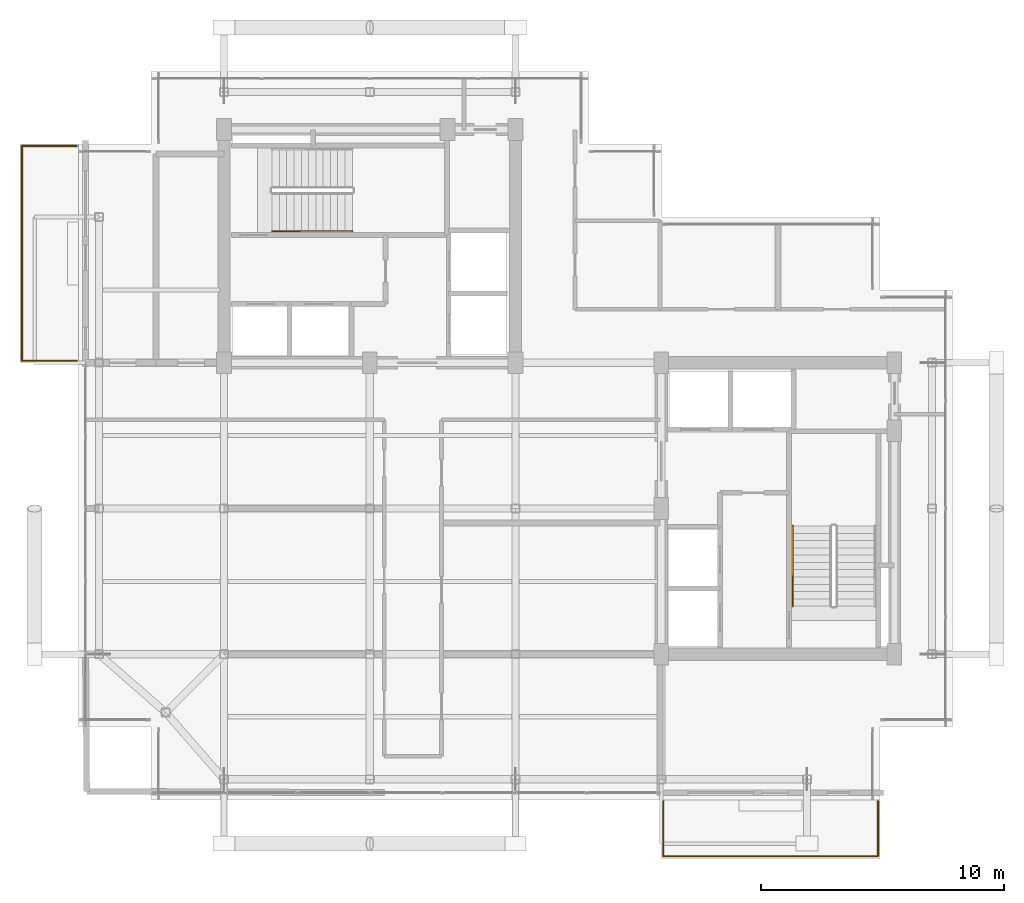
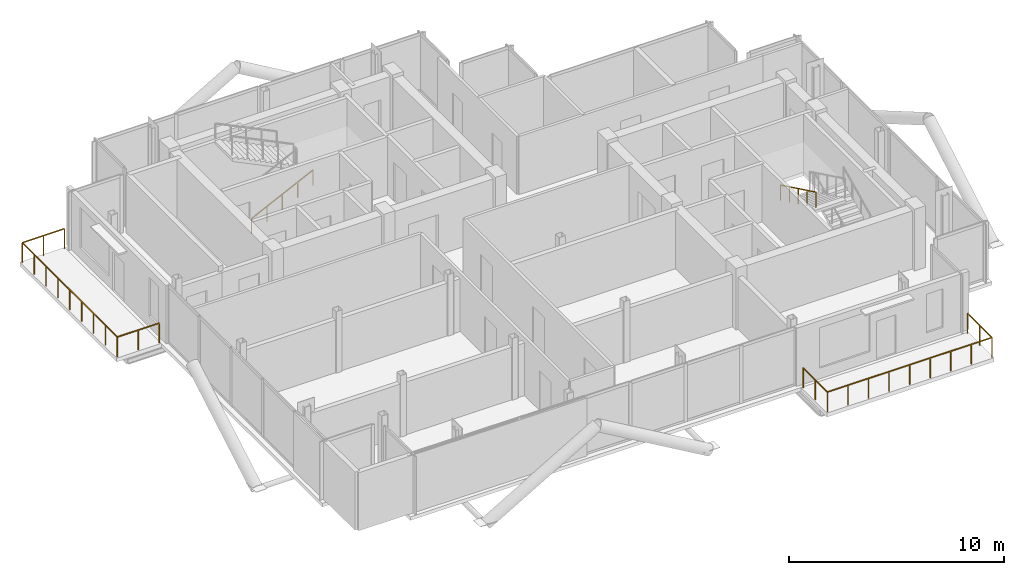
# One storey, part 18 of 19: 4 railings.
"""IFC4 building model written with IfcOpenShell, lengths in metres."""

import ifcopenshell
import ifcopenshell.guid

model = None  # the IFC model being written
_history = None  # IfcOwnerHistory: only IFC2X3 demands one
_inside = {}  # id of a spatial element -> (the spatial element, [elements in it])
_under = {}  # id of a project, library or spatial element -> (it, [spatial elements below it])
_declared = {}  # id of a project -> (the project, [libraries it declares])
_typed = {}  # id of a type object -> (the type object, [elements of that type])
_made_of = {}  # id of a material, layer set ... -> (it, [elements and type objects made of it])


def new_model(schema):
    """Start an empty IFC model of exactly this schema.

    Asked for "IFC4X3", IfcOpenShell would pick the latest addendum, in which some entities
    have other attributes; the version numbers below select the first issue.
    IFC2X3 requires an IfcOwnerHistory on every rooted entity: one is made here for all.
    """
    global model, _history
    if schema == "IFC4X3":
        model = ifcopenshell.file(schema_version=(4, 3, 0, 0))
    else:
        model = ifcopenshell.file(schema=schema)
    _inside.clear()
    _under.clear()
    _declared.clear()
    _typed.clear()
    _made_of.clear()
    _history = None
    if model.schema == "IFC2X3":
        org = make("IfcOrganization", Name="unknown")
        user = make(
            "IfcPersonAndOrganization",
            ThePerson=make("IfcPerson", FamilyName="unknown"),
            TheOrganization=org,
        )
        app = make(
            "IfcApplication",
            ApplicationDeveloper=org,
            Version="unknown",
            ApplicationFullName="unknown",
            ApplicationIdentifier="unknown",
        )
        _history = make(
            "IfcOwnerHistory",
            OwningUser=user,
            OwningApplication=app,
            ChangeAction="ADDED",
            CreationDate=0,
        )
    return model


def make(cls, **values):
    """One entity of the class cls with the attributes given. An attribute that is None is left unset."""
    return model.create_entity(
        cls, **{name: value for name, value in values.items() if value is not None}
    )


def rooted(cls, **values):
    """An entity with a GlobalId (a new one), such as an element, a storey or a relation."""
    return make(cls, GlobalId=ifcopenshell.guid.new(), OwnerHistory=_history, **values)


def si_unit(unit_type, name, prefix=None):
    """IfcSIUnit, for example si_unit("LENGTHUNIT", "METRE", prefix="MILLI")."""
    return make("IfcSIUnit", UnitType=unit_type, Prefix=prefix, Name=name)


def assignment(units):
    """IfcUnitAssignment: the units of a project."""
    return None if units is None else make("IfcUnitAssignment", Units=units)


def point(xyz):
    """IfcCartesianPoint."""
    return None if xyz is None else make("IfcCartesianPoint", Coordinates=xyz)


def direction(xyz):
    """IfcDirection."""
    return None if xyz is None else make("IfcDirection", DirectionRatios=xyz)


def frame(location, z_axis=None, x_axis=None):
    """IfcAxis2Placement3D, a coordinate frame: its origin and axes. An axis left out is left unset."""
    return make(
        "IfcAxis2Placement3D",
        Location=point(location),
        Axis=direction(z_axis),
        RefDirection=direction(x_axis),
    )


def frame_2d(location, x_axis=None):
    """IfcAxis2Placement2D, a coordinate frame in the plane: its origin and x axis."""
    return make(
        "IfcAxis2Placement2D", Location=point(location), RefDirection=direction(x_axis)
    )


def origin():
    """The frame at (0, 0, 0) with its axes left unset."""
    return frame((0.0, 0.0, 0.0))


def origin_2d():
    """The frame at (0, 0) in the plane with its x axis left unset."""
    return frame_2d((0.0, 0.0))


def place(relative_to, where):
    """IfcLocalPlacement: puts the frame where relative to a parent placement (None: the world)."""
    return make(
        "IfcLocalPlacement", PlacementRelTo=relative_to, RelativePlacement=where
    )


def context(
    kind, dimensions, precision=None, world=None, true_north=None, identifier=None
):
    """IfcGeometricRepresentationContext, for example the 3D "Model" context."""
    return make(
        "IfcGeometricRepresentationContext",
        ContextIdentifier=identifier,
        ContextType=kind,
        CoordinateSpaceDimension=dimensions,
        Precision=precision,
        WorldCoordinateSystem=world,
        TrueNorth=true_north,
    )


def subcontext(parent, identifier, kind, view, scale=None):
    """IfcGeometricRepresentationSubContext, for example "Body" below "Model"."""
    return make(
        "IfcGeometricRepresentationSubContext",
        ContextIdentifier=identifier,
        ContextType=kind,
        ParentContext=parent,
        TargetScale=scale,
        TargetView=view,
    )


def project(units=None, contexts=None):
    """IfcProject with its units and contexts."""
    return rooted(
        "IfcProject",
        Name="project",
        RepresentationContexts=contexts,
        UnitsInContext=assignment(units),
    )


def spatial(cls, under=None, at=None, **own):
    """A site, building, storey or space (cls), placed at a placement, below another one or the project."""
    s = rooted(cls, ObjectPlacement=at, **own)
    if under is not None:
        _under.setdefault(under.id(), (under, []))[1].append(s)
    return s


def profile(cls, at=None, kind="AREA", **sizes):
    """A parametric profile (cls). Its sizes go by their IFC names, for example OverallWidth=200.0."""
    return make(cls, ProfileType=kind, Position=at, **sizes)


def rectangle(**sizes):
    """IfcRectangleProfileDef."""
    return profile("IfcRectangleProfileDef", **sizes)


def extrude(swept, where, along, depth):
    """IfcExtrudedAreaSolid: the profile swept, set in the frame where, extruded along a direction by depth."""
    return make(
        "IfcExtrudedAreaSolid",
        SweptArea=swept,
        Position=where,
        ExtrudedDirection=direction(along),
        Depth=depth,
    )


def shape(context_of_items, identifier, shape_type, items):
    """IfcShapeRepresentation: the items that make up one representation, for example the "Body"."""
    return make(
        "IfcShapeRepresentation",
        ContextOfItems=context_of_items,
        RepresentationIdentifier=identifier,
        RepresentationType=shape_type,
        Items=items,
    )


def material(Name=None, Category=None):
    """IfcMaterial."""
    return make("IfcMaterial", Name=Name, Category=Category)


def made_of(thing, what):
    """Note that an element or type object is made of a material, layer set ...; save() writes the relation."""
    if what is not None:
        _made_of.setdefault(what.id(), (what, []))[1].append(thing)
    return thing


def type_object(cls, material=None, **own):
    """A type object (cls), such as IfcWallType, which elements share."""
    return made_of(rooted(cls, **own), material)


def element(
    cls,
    number,
    at=None,
    inside=None,
    cuts=None,
    type_object=None,
    material=None,
    context=None,
    identifier="Body",
    shape_type=None,
    held_by="IfcProductDefinitionShape",
    body=None,
    shapes=None,
    **own,
):
    """One element of the class cls, such as IfcWall. Its Tag is "e" and its number.

    at: its placement. inside: the storey or other place that contains it. cuts: it is an
    opening in that element (IfcRelVoidsElement). A single representation is given by context,
    identifier, shape_type and body (its items); several are given by shapes. held_by: the class
    of the entity that holds the representations. save() writes the other relations.
    """
    e = rooted(cls, Tag="e%d" % number, ObjectPlacement=at, **own)
    if body is not None:
        shapes = [shape(context, identifier, shape_type, body)]
    if shapes is not None:
        e.Representation = make(held_by, Representations=shapes)
    if inside is not None:
        _inside.setdefault(inside.id(), (inside, []))[1].append(e)
    if cuts is not None:
        rooted(
            "IfcRelVoidsElement", RelatingBuildingElement=cuts, RelatedOpeningElement=e
        )
    if type_object is not None:
        _typed.setdefault(type_object.id(), (type_object, []))[1].append(e)
    return made_of(e, material)


def aggregate(whole, parts):
    """IfcRelAggregates: a whole, such as a stair, and the parts it consists of."""
    return rooted("IfcRelAggregates", RelatingObject=whole, RelatedObjects=parts)


def save(model, path):
    """Write the relations noted so far, then the file.

    IfcRelAggregates (storeys below a building ...), IfcRelContainedInSpatialStructure (elements
    in a storey), IfcRelDefinesByType, IfcRelAssociatesMaterial and IfcRelDeclares: one each for
    every whole, place, type object, material and project.
    """
    for whole, parts in _under.values():
        aggregate(whole, parts)
    for where, things in _inside.values():
        rooted(
            "IfcRelContainedInSpatialStructure",
            RelatedElements=things,
            RelatingStructure=where,
        )
    for kind, things in _typed.values():
        rooted("IfcRelDefinesByType", RelatedObjects=things, RelatingType=kind)
    for what, things in _made_of.values():
        rooted("IfcRelAssociatesMaterial", RelatedObjects=things, RelatingMaterial=what)
    for by, libraries in _declared.values():
        rooted("IfcRelDeclares", RelatingContext=by, RelatedDefinitions=libraries)
    model.write(path)


model = new_model("IFC4")

# Units and contexts
model_context = context("Model", 3, precision=1e-05, world=origin(), true_north=direction((0.0, 1.0)))
body_context = subcontext(model_context, "Body", "Model", "MODEL_VIEW")
ifc_project = project(units=[si_unit("LENGTHUNIT", "METRE"), si_unit("AREAUNIT", "SQUARE_METRE"), si_unit("VOLUMEUNIT", "CUBIC_METRE"), si_unit("PLANEANGLEUNIT", "RADIAN"), si_unit("MASSUNIT", "GRAM", prefix="KILO"), si_unit("THERMODYNAMICTEMPERATUREUNIT", "KELVIN"), si_unit("POWERUNIT", "WATT")], contexts=[model_context])

# Site, building, storey
site_placement = place(None, origin())
site = spatial("IfcSite", under=ifc_project, at=site_placement, CompositionType="ELEMENT")
building_placement = place(site_placement, origin())
building = spatial("IfcBuilding", under=site, at=building_placement, Name="Svarakhadi Broadcast Tower", CompositionType="ELEMENT")
storey_placement = place(building_placement, frame((0.0, 0.0, 285.199951171875)))
storey = spatial("IfcBuildingStorey", under=building, at=storey_placement, Name="L72", CompositionType="ELEMENT", Elevation=285.199951171875)

# Railings
ifc_material_1 = material(Name="Laminated Structural SentryGlas Balustrade 25.5 mm", Category="glass")
railing_type_1 = type_object("IfcRailingType", Name="Guard_Balcony_GR01", PredefinedType="BALUSTRADE", material=ifc_material_1)
railing_1_placement = place(storey_placement, frame((24.080078125, -0.06005859375, 0.0)))
element("IfcRailing", 1, at=railing_1_placement, inside=storey, type_object=railing_type_1, Name="L72 South Tree Balcony Guard GR-05", PredefinedType="BALUSTRADE", context=body_context, shape_type="SweptSolid", body=[
    extrude(rectangle(XDim=0.048095703125, YDim=0.048095703125, at=origin_2d()), frame((0.0, 0.0, 1.1259765625), z_axis=(0.0, -1.0, 0.0), x_axis=(1.0, 0.0, 0.0)), (0.0, 0.0, 1.0), 2.260009765625),
    extrude(rectangle(XDim=0.048095703125, YDim=0.048095703125, at=origin_2d()), frame((0.0, -2.260009765625, 1.1259765625), z_axis=(1.0, 0.0, 0.0), x_axis=(0.0, 1.0, 0.0)), (0.0, 0.0, 1.0), 8.83984375),
    extrude(rectangle(XDim=0.048095703125, YDim=0.048095703125, at=origin_2d()), frame((8.83984375, -2.260009765625, 1.1259765625), z_axis=(0.0, 1.0, 0.0), x_axis=(-1.0, 0.0, 0.0)), (0.0, 0.0, 1.0), 2.260009765625),
    extrude(rectangle(XDim=0.0419921875, YDim=0.0419921875, at=origin_2d()), origin(), (0.0, 0.0, 1.0), 1.101806640625),
    extrude(rectangle(XDim=0.0419921875, YDim=0.0419921875, at=origin_2d()), frame((0.0, -1.1298828125, 0.0)), (0.0, 0.0, 1.0), 1.101806640625),
    extrude(rectangle(XDim=0.0419921875, YDim=0.0419921875, at=origin_2d()), frame((0.0, -2.260009765625, 0.0)), (0.0, 0.0, 1.0), 1.101806640625),
    extrude(rectangle(XDim=0.0419921875, YDim=0.0419921875, at=origin_2d()), frame((1.10498046875, -2.260009765625, 0.0)), (0.0, 0.0, 1.0), 1.101806640625),
    extrude(rectangle(XDim=0.0419921875, YDim=0.0419921875, at=origin_2d()), frame((2.2099609375, -2.260009765625, 0.0)), (0.0, 0.0, 1.0), 1.101806640625),
    extrude(rectangle(XDim=0.0419921875, YDim=0.0419921875, at=origin_2d()), frame((3.31494140625, -2.260009765625, 0.0)), (0.0, 0.0, 1.0), 1.101806640625),
    extrude(rectangle(XDim=0.0419921875, YDim=0.0419921875, at=origin_2d()), frame((4.419921875, -2.260009765625, 0.0)), (0.0, 0.0, 1.0), 1.101806640625),
    extrude(rectangle(XDim=0.0419921875, YDim=0.0419921875, at=origin_2d()), frame((5.52490234375, -2.260009765625, 0.0)), (0.0, 0.0, 1.0), 1.101806640625),
    extrude(rectangle(XDim=0.0419921875, YDim=0.0419921875, at=origin_2d()), frame((6.6298828125, -2.260009765625, 0.0)), (0.0, 0.0, 1.0), 1.101806640625),
    extrude(rectangle(XDim=0.0419921875, YDim=0.0419921875, at=origin_2d()), frame((7.73486328125, -2.260009765625, 0.0)), (0.0, 0.0, 1.0), 1.101806640625),
    extrude(rectangle(XDim=0.0419921875, YDim=0.0419921875, at=origin_2d()), frame((8.83984375, -2.260009765625, 0.0)), (0.0, 0.0, 1.0), 1.101806640625),
    extrude(rectangle(XDim=0.0419921875, YDim=0.0419921875, at=origin_2d()), frame((8.83984375, -1.1298828125, 0.0)), (0.0, 0.0, 1.0), 1.101806640625),
    extrude(rectangle(XDim=0.0419921875, YDim=0.0419921875, at=origin_2d()), frame((8.83984375, 0.0, 0.0)), (0.0, 0.0, 1.0), 1.101806640625),
])
railing_2_placement = place(storey_placement, frame((-0.06005859375, 18.080078125, 0.0)))
element("IfcRailing", 2, at=railing_2_placement, inside=storey, type_object=railing_type_1, Name="L72 West Tree Balcony Guard GR-05", PredefinedType="BALUSTRADE", context=body_context, shape_type="SweptSolid", body=[
    extrude(rectangle(XDim=0.048095703125, YDim=0.048095703125, at=origin_2d()), frame((0.0, 0.0, 1.1259765625), z_axis=(-1.0, 0.0, 0.0), x_axis=(0.0, -1.0, 0.0)), (0.0, 0.0, 1.0), 2.260009765625),
    extrude(rectangle(XDim=0.048095703125, YDim=0.048095703125, at=origin_2d()), frame((-2.260009765625, 0.0, 1.1259765625), z_axis=(0.0, 1.0, 0.0), x_axis=(-1.0, 0.0, 0.0)), (0.0, 0.0, 1.0), 8.83984375),
    extrude(rectangle(XDim=0.048095703125, YDim=0.048095703125, at=origin_2d()), frame((-2.260009765625, 8.83984375, 1.1259765625), z_axis=(1.0, 0.0, 0.0), x_axis=(0.0, 1.0, 0.0)), (0.0, 0.0, 1.0), 2.260009765625),
    extrude(rectangle(XDim=0.0419921875, YDim=0.0419921875, at=origin_2d()), origin(), (0.0, 0.0, 1.0), 1.101806640625),
    extrude(rectangle(XDim=0.0419921875, YDim=0.0419921875, at=origin_2d()), frame((-1.1298828125, 0.0, 0.0)), (0.0, 0.0, 1.0), 1.101806640625),
    extrude(rectangle(XDim=0.0419921875, YDim=0.0419921875, at=origin_2d()), frame((-2.260009765625, 0.0, 0.0)), (0.0, 0.0, 1.0), 1.101806640625),
    extrude(rectangle(XDim=0.0419921875, YDim=0.0419921875, at=origin_2d()), frame((-2.260009765625, 1.10498046875, 0.0)), (0.0, 0.0, 1.0), 1.101806640625),
    extrude(rectangle(XDim=0.0419921875, YDim=0.0419921875, at=origin_2d()), frame((-2.260009765625, 2.2099609375, 0.0)), (0.0, 0.0, 1.0), 1.101806640625),
    extrude(rectangle(XDim=0.0419921875, YDim=0.0419921875, at=origin_2d()), frame((-2.260009765625, 3.31494140625, 0.0)), (0.0, 0.0, 1.0), 1.101806640625),
    extrude(rectangle(XDim=0.0419921875, YDim=0.0419921875, at=origin_2d()), frame((-2.260009765625, 4.419921875, 0.0)), (0.0, 0.0, 1.0), 1.101806640625),
    extrude(rectangle(XDim=0.0419921875, YDim=0.0419921875, at=origin_2d()), frame((-2.260009765625, 5.52490234375, 0.0)), (0.0, 0.0, 1.0), 1.101806640625),
    extrude(rectangle(XDim=0.0419921875, YDim=0.0419921875, at=origin_2d()), frame((-2.260009765625, 6.6298828125, 0.0)), (0.0, 0.0, 1.0), 1.101806640625),
    extrude(rectangle(XDim=0.0419921875, YDim=0.0419921875, at=origin_2d()), frame((-2.260009765625, 7.73486328125, 0.0)), (0.0, 0.0, 1.0), 1.101806640625),
    extrude(rectangle(XDim=0.0419921875, YDim=0.0419921875, at=origin_2d()), frame((-2.260009765625, 8.83984375, 0.0)), (0.0, 0.0, 1.0), 1.101806640625),
    extrude(rectangle(XDim=0.0419921875, YDim=0.0419921875, at=origin_2d()), frame((-1.1298828125, 8.83984375, 0.0)), (0.0, 0.0, 1.0), 1.101806640625),
    extrude(rectangle(XDim=0.0419921875, YDim=0.0419921875, at=origin_2d()), frame((0.0, 8.83984375, 0.0)), (0.0, 0.0, 1.0), 1.101806640625),
])
ifc_material_2 = material(Name="Anodised Bronze Aluminium AA 6063-T6", Category="aluminium")
railing_type_2 = type_object("IfcRailingType", Name="Handrail_Stair_HR01", PredefinedType="HANDRAIL", material=ifc_material_2)
railing_3_placement = place(storey_placement, frame((7.97998046875, 23.409912109375, 0.14599609375)))
element("IfcRailing", 3, at=railing_3_placement, inside=storey, type_object=railing_type_2, Name="L72 ST-01 stair handrail 1", PredefinedType="HANDRAIL", context=body_context, shape_type="SweptSolid", body=[
    extrude(rectangle(XDim=0.048095703125, YDim=0.048095703125, at=origin_2d()), frame((0.0, 0.0, 0.8759765625), z_axis=(0.899387838337, 0.0, 0.437151594131), x_axis=(0.0, 1.0, 0.0)), (0.0, 0.0, 1.0), 3.669189453125),
    extrude(rectangle(XDim=0.0419921875, YDim=0.0419921875, at=origin_2d()), origin(), (0.0, 0.0, 1.0), 0.851806640625),
    extrude(rectangle(XDim=0.0419921875, YDim=0.0419921875, at=origin_2d()), frame((0.824951171875, 0.0, 0.40087890625)), (0.0, 0.0, 1.0), 0.851806640625),
    extrude(rectangle(XDim=0.0419921875, YDim=0.0419921875, at=origin_2d()), frame((1.64990234375, 0.0, 0.802001953125)), (0.0, 0.0, 1.0), 0.851806640625),
    extrude(rectangle(XDim=0.0419921875, YDim=0.0419921875, at=origin_2d()), frame((2.47509765625, 0.0, 1.203125)), (0.0, 0.0, 1.0), 0.851806640625),
    extrude(rectangle(XDim=0.0419921875, YDim=0.0419921875, at=origin_2d()), frame((3.300048828125, 0.0, 1.60400390625)), (0.0, 0.0, 1.0), 0.851806640625),
])
railing_4_placement = place(storey_placement, frame((29.409912109375, 11.280029296875, 1.89599609375)))
element("IfcRailing", 4, at=railing_4_placement, inside=storey, type_object=railing_type_2, Name="L72 ST-02 stair handrail 2", PredefinedType="HANDRAIL", context=body_context, shape_type="SweptSolid", body=[
    extrude(rectangle(XDim=0.048095703125, YDim=0.048095703125, at=origin_2d()), frame((0.0, 0.0, 0.8759765625), z_axis=(0.0, -0.899387838337, 0.437151594131), x_axis=(1.0, 0.0, 0.0)), (0.0, 0.0, 1.0), 3.669189453125),
    extrude(rectangle(XDim=0.0419921875, YDim=0.0419921875, at=origin_2d()), origin(), (0.0, 0.0, 1.0), 0.851806640625),
    extrude(rectangle(XDim=0.0419921875, YDim=0.0419921875, at=origin_2d()), frame((0.0, -0.824951171875, 0.40087890625)), (0.0, 0.0, 1.0), 0.851806640625),
    extrude(rectangle(XDim=0.0419921875, YDim=0.0419921875, at=origin_2d()), frame((0.0, -1.64990234375, 0.802001953125)), (0.0, 0.0, 1.0), 0.851806640625),
    extrude(rectangle(XDim=0.0419921875, YDim=0.0419921875, at=origin_2d()), frame((0.0, -2.47509765625, 1.203125)), (0.0, 0.0, 1.0), 0.851806640625),
    extrude(rectangle(XDim=0.0419921875, YDim=0.0419921875, at=origin_2d()), frame((0.0, -3.300048828125, 1.60400390625)), (0.0, 0.0, 1.0), 0.851806640625),
])

save(model, "model.ifc")
